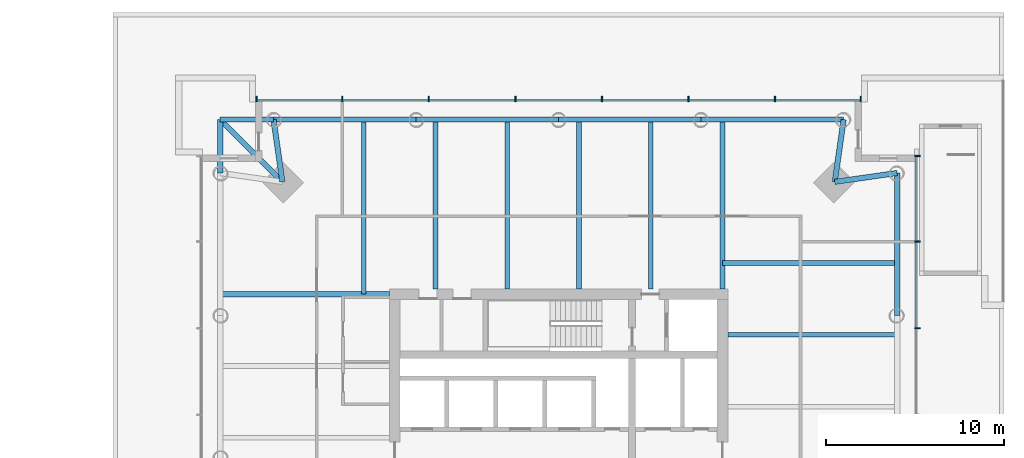
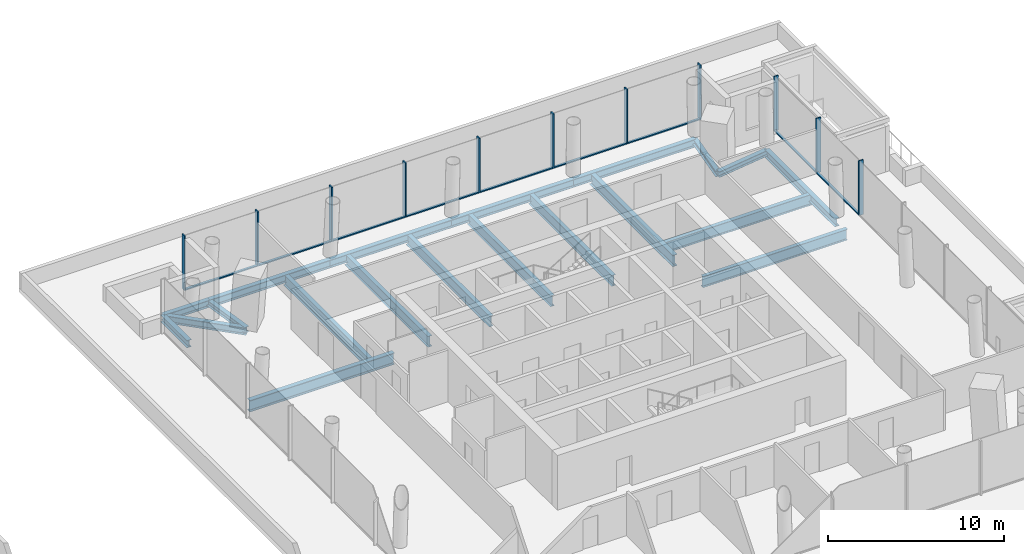
# One storey, part 6 of 19: 20 beams, 20 members, 2 elements without a shape of their own.
"""IFC4 building model written with IfcOpenShell, lengths in metres."""

from ifc_helpers import new_model, si_unit, direction, frame, origin, origin_2d, place, context, subcontext, project, spatial, rectangle, i_section, extrude, material, material_profile, profile_set, type_object, element, aggregate, save


model = new_model("IFC4")

# Units and contexts
model_context = context("Model", 3, precision=1e-05, world=origin(), true_north=direction((0.0, 1.0)))
body_context = subcontext(model_context, "Body", "Model", "MODEL_VIEW")
ifc_project = project(units=[si_unit("LENGTHUNIT", "METRE"), si_unit("AREAUNIT", "SQUARE_METRE"), si_unit("VOLUMEUNIT", "CUBIC_METRE"), si_unit("PLANEANGLEUNIT", "RADIAN"), si_unit("MASSUNIT", "GRAM", prefix="KILO")], contexts=[model_context])

# Site, building, storey
site_placement = place(None, origin())
site = spatial("IfcSite", under=ifc_project, at=site_placement, CompositionType="ELEMENT")
building_placement = place(site_placement, origin())
building = spatial("IfcBuilding", under=site, at=building_placement, Name="Ostroluk Exchange", CompositionType="ELEMENT")
storey_placement = place(building_placement, frame((0.0, 0.0, 21.0)))
storey = spatial("IfcBuildingStorey", under=building, at=storey_placement, Name="L04", CompositionType="ELEMENT", Elevation=21.0)

# Beams
ifc_material_1 = material(Name="Steel S355", Category="steel")
ifc_material_profile_1 = material_profile(ifc_material_1, i_section(OverallWidth=0.300048828125, OverallDepth=0.5, WebThickness=0.014404296875, FlangeThickness=0.028076171875, FilletRadius=0.027099609375, at=origin_2d()), Name="HEB 500")
ifc_profile_set_1 = profile_set([ifc_material_profile_1], Name="Steel S355")
beam_type_1 = type_object("IfcBeamType", Name="Balcony beam HEB 500", PredefinedType="BEAM", material=ifc_profile_set_1)
for number, where, z_axis, x_axis, name in (
    (1, (101.0, 65.0, -0.550048828125), (-1.0, 0.0, 0.0), (0.0, -1.0, 0.0), "T2 north balcony beam a"),
    (2, (98.0, 62.0, -0.550048828125), (0.0, 1.0, 0.0), (-1.0, 0.0, 0.0), "T2 north balcony beam b"),
):
    element("IfcBeam", number, at=place(storey_placement, frame(where, z_axis=z_axis, x_axis=x_axis)), inside=storey, type_object=beam_type_1, Name=name, PredefinedType="BEAM", context=body_context, shape_type="SweptSolid", body=[
        extrude(i_section(OverallWidth=0.300048828125, OverallDepth=0.5, WebThickness=0.014404296875, FlangeThickness=0.028076171875, FilletRadius=0.027099609375, at=origin_2d()), origin(), (0.0, 0.0, 1.0), 3.0),
    ])
beam_1_placement = place(storey_placement, frame((101.5, 61.5, -0.550048828125), z_axis=(-0.707106781187, 0.707106781187, 0.0), x_axis=(-0.707106781187, -0.707106781187, 0.0)))
element("IfcBeam", 3, at=beam_1_placement, inside=storey, type_object=beam_type_1, Name="T2 north balcony beam c", PredefinedType="BEAM", context=body_context, shape_type="SweptSolid", body=[
    extrude(i_section(OverallWidth=0.300048828125, OverallDepth=0.5, WebThickness=0.014404296875, FlangeThickness=0.028076171875, FilletRadius=0.027099609375, at=origin_2d()), origin(), (0.0, 0.0, 1.0), 4.94970703125),
])
ifc_material_2 = material(Name="Steel S355", Category="steel")
ifc_material_profile_2 = material_profile(ifc_material_2, i_section(OverallWidth=0.300048828125, OverallDepth=0.39990234375, WebThickness=0.013427734375, FlangeThickness=0.02392578125, FilletRadius=0.027099609375, at=origin_2d()), Name="HEB 400")
ifc_profile_set_2 = profile_set([ifc_material_profile_2], Name="Steel S355")
beam_type_2 = type_object("IfcBeamType", Name="Corner edge beam HEB 400", PredefinedType="SPANDREL", material=ifc_profile_set_2)
for number, where, z_axis, x_axis, name in (
    (4, (132.5, 61.5, -0.5), (0.989949493661, 0.141421356237, 0.0), (-0.141421356237, 0.989949493661, 0.0), "T2 east corner edge beam a"),
    (5, (132.5, 61.5, -0.5), (0.141421356237, 0.989949493661, 0.0), (-0.989949493661, 0.141421356237, 0.0), "T2 east corner edge beam b"),
    (6, (101.5, 61.5, -0.5), (-0.141421356237, 0.989949493661, 0.0), (-0.989949493661, -0.141421356237, 0.0), "T2 north corner edge beam a"),
):
    element("IfcBeam", number, at=place(storey_placement, frame(where, z_axis=z_axis, x_axis=x_axis)), inside=storey, type_object=beam_type_2, Name=name, PredefinedType="SPANDREL", context=body_context, shape_type="SweptSolid", body=[
        extrude(i_section(OverallWidth=0.300048828125, OverallDepth=0.39990234375, WebThickness=0.013427734375, FlangeThickness=0.02392578125, FilletRadius=0.027099609375, at=origin_2d()), origin(), (0.0, 0.0, 1.0), 3.53564453125),
    ])
ifc_material_3 = material(Name="Steel S355", Category="steel")
ifc_material_profile_3 = material_profile(ifc_material_3, i_section(OverallWidth=0.264892578125, OverallDepth=0.7529296875, WebThickness=0.01318359375, FlangeThickness=0.01708984375, FilletRadius=0.01708984375, at=origin_2d()), Name="IPE 750x147")
ifc_profile_set_3 = profile_set([ifc_material_profile_3], Name="Steel S355")
beam_type_3 = type_object("IfcBeamType", Name="Floor beam IPE 750x147", PredefinedType="BEAM", material=ifc_profile_set_3)
beam_2_placement = place(storey_placement, frame((126.5, 52.914306640625, -0.676513671875), z_axis=(1.0, 0.0, 0.0), x_axis=(0.0, 1.0, 0.0)))
element("IfcBeam", 7, at=beam_2_placement, inside=storey, type_object=beam_type_3, Name="T2 east floor beam 4", PredefinedType="BEAM", context=body_context, shape_type="SweptSolid", body=[
    extrude(i_section(OverallWidth=0.264892578125, OverallDepth=0.7529296875, WebThickness=0.01318359375, FlangeThickness=0.01708984375, FilletRadius=0.01708984375, at=origin_2d()), origin(), (0.0, 0.0, 1.0), 9.5),
])
beam_3_placement = place(storey_placement, frame((126.199951171875, 56.94287109375, -0.676513671875), z_axis=(1.0, 0.0, 0.0), x_axis=(0.0, 1.0, 0.0)))
element("IfcBeam", 8, at=beam_3_placement, inside=storey, type_object=beam_type_3, Name="T2 east floor beam 5", PredefinedType="BEAM", context=body_context, shape_type="SweptSolid", body=[
    extrude(i_section(OverallWidth=0.264892578125, OverallDepth=0.7529296875, WebThickness=0.01318359375, FlangeThickness=0.01708984375, FilletRadius=0.01708984375, at=origin_2d()), origin(), (0.0, 0.0, 1.0), 9.800048828125),
])
for number, where, z_axis, x_axis, name in (
    (9, (122.17138671875, 55.5, -0.676513671875), (0.0, 1.0, 0.0), (-1.0, 0.0, 0.0), "T2 north floor beam 1"),
    (10, (118.142822265625, 55.5, -0.676513671875), (0.0, 1.0, 0.0), (-1.0, 0.0, 0.0), "T2 north floor beam 2"),
    (11, (114.1142578125, 55.5, -0.676513671875), (0.0, 1.0, 0.0), (-1.0, 0.0, 0.0), "T2 north floor beam 3"),
    (12, (110.085693359375, 55.5, -0.676513671875), (0.0, 1.0, 0.0), (-1.0, 0.0, 0.0), "T2 north floor beam 4"),
):
    element("IfcBeam", number, at=place(storey_placement, frame(where, z_axis=z_axis, x_axis=x_axis)), inside=storey, type_object=beam_type_3, Name=name, PredefinedType="BEAM", context=body_context, shape_type="SweptSolid", body=[
        extrude(i_section(OverallWidth=0.264892578125, OverallDepth=0.7529296875, WebThickness=0.01318359375, FlangeThickness=0.01708984375, FilletRadius=0.01708984375, at=origin_2d()), origin(), (0.0, 0.0, 1.0), 9.5),
    ])
beam_4_placement = place(storey_placement, frame((106.05712890625, 55.199951171875, -0.676513671875), z_axis=(0.0, 1.0, 0.0), x_axis=(-1.0, 0.0, 0.0)))
element("IfcBeam", 13, at=beam_4_placement, inside=storey, type_object=beam_type_3, Name="T2 north floor beam 5", PredefinedType="BEAM", context=body_context, shape_type="SweptSolid", body=[
    extrude(i_section(OverallWidth=0.264892578125, OverallDepth=0.7529296875, WebThickness=0.01318359375, FlangeThickness=0.01708984375, FilletRadius=0.01708984375, at=origin_2d()), origin(), (0.0, 0.0, 1.0), 9.800048828125),
])
ifc_material_4 = material(Name="Steel S355", Category="steel")
ifc_material_profile_4 = material_profile(ifc_material_4, i_section(OverallWidth=0.300048828125, OverallDepth=0.800048828125, WebThickness=0.017578125, FlangeThickness=0.032958984375, FilletRadius=0.030029296875, at=origin_2d()), Name="HEB 800")
ifc_profile_set_4 = profile_set([ifc_material_profile_4], Name="Steel S355")
beam_type_4 = type_object("IfcBeamType", Name="Girder HEB 800", PredefinedType="BEAM", material=ifc_profile_set_4)
for number, where, z_axis, x_axis, name in (
    (14, (126.199951171875, 55.5, -0.699951171875), (0.0, 1.0, 0.0), (-1.0, 0.0, 0.0), "T2 east girder"),
    (15, (107.5, 55.199951171875, -0.699951171875), (-1.0, 0.0, 0.0), (0.0, -1.0, 0.0), "T2 north girder"),
):
    element("IfcBeam", number, at=place(storey_placement, frame(where, z_axis=z_axis, x_axis=x_axis)), inside=storey, type_object=beam_type_4, Name=name, PredefinedType="BEAM", context=body_context, shape_type="SweptSolid", body=[
        extrude(i_section(OverallWidth=0.300048828125, OverallDepth=0.800048828125, WebThickness=0.017578125, FlangeThickness=0.032958984375, FilletRadius=0.030029296875, at=origin_2d()), origin(), (0.0, 0.0, 1.0), 9.5),
    ])
ifc_material_5 = material(Name="Steel S355", Category="steel")
ifc_material_profile_5 = material_profile(ifc_material_5, i_section(OverallWidth=0.300048828125, OverallDepth=0.550048828125, WebThickness=0.014892578125, FlangeThickness=0.029052734375, FilletRadius=0.027099609375, at=origin_2d()), Name="HEB 550")
ifc_profile_set_5 = profile_set([ifc_material_profile_5], Name="Steel S355")
beam_type_5 = type_object("IfcBeamType", Name="Moment-connected edge beam HEB 550", PredefinedType="SPANDREL", material=ifc_profile_set_5)
for number, where, z_axis, x_axis, name in (
    (16, (136.0, 54.0, -0.574951171875), (0.0, 1.0, 0.0), (-1.0, 0.0, 0.0), "T2 east edge beam 4"),
    (17, (133.0, 65.0, -0.574951171875), (-1.0, 0.0, 0.0), (0.0, -1.0, 0.0), "T2 north edge beam 1"),
    (18, (125.0, 65.0, -0.574951171875), (-1.0, 0.0, 0.0), (0.0, -1.0, 0.0), "T2 north edge beam 2"),
    (19, (117.0, 65.0, -0.574951171875), (-1.0, 0.0, 0.0), (0.0, -1.0, 0.0), "T2 north edge beam 3"),
    (20, (109.0, 65.0, -0.574951171875), (-1.0, 0.0, 0.0), (0.0, -1.0, 0.0), "T2 north edge beam 4"),
):
    element("IfcBeam", number, at=place(storey_placement, frame(where, z_axis=z_axis, x_axis=x_axis)), inside=storey, type_object=beam_type_5, Name=name, PredefinedType="SPANDREL", context=body_context, shape_type="SweptSolid", body=[
        extrude(i_section(OverallWidth=0.300048828125, OverallDepth=0.550048828125, WebThickness=0.014892578125, FlangeThickness=0.029052734375, FilletRadius=0.027099609375, at=origin_2d()), origin(), (0.0, 0.0, 1.0), 8.0),
    ])

# Curtain wall, members
ifc_material_6 = material(Name="Laminated clear glass", Category="glass")
curtain_wall_type = type_object("IfcCurtainWallType", Name="Hotel amenity and plant facade", PredefinedType="USERDEFINED", material=ifc_material_6)
curtain_wall_1_placement = place(storey_placement, origin())
curtain_wall_1 = element("IfcCurtainWall", 21, at=curtain_wall_1_placement, inside=storey, type_object=curtain_wall_type, Name="Hotel tower east facade L04", ObjectType="LOUVRED CURTAIN WALL", PredefinedType="USERDEFINED")
ifc_material_7 = material(Name="Aluminium mullion", Category="aluminium")
ifc_material_profile_6 = material_profile(ifc_material_7, rectangle(XDim=0.14990234375, YDim=0.080078125, at=origin_2d()), Name="Sill transom 80 x 150")
ifc_profile_set_6 = profile_set([ifc_material_profile_6], Name="Aluminium mullion")
member_type_1 = type_object("IfcMemberType", Name="Sill transom 80 x 150", PredefinedType="USERDEFINED", material=ifc_profile_set_6)
member_1_placement = place(storey_placement, frame((137.074951171875, 53.32568359375, 0.0400390625), z_axis=(0.0, 1.0, 0.0), x_axis=(-1.0, 0.0, 0.0)))
member_1 = element("IfcMember", 22, at=member_1_placement, type_object=member_type_1, Name="CW-H2 transom 6.1", ObjectType="TRANSOM", PredefinedType="USERDEFINED", context=body_context, shape_type="SweptSolid", body=[
    extrude(rectangle(XDim=0.14990234375, YDim=0.080078125, at=origin_2d()), origin(), (0.0, 0.0, 1.0), 4.777099609375),
])
member_2_placement = place(storey_placement, frame((137.074951171875, 58.182861328125, 0.0400390625), z_axis=(0.0, 1.0, 0.0), x_axis=(-1.0, 0.0, 0.0)))
member_2 = element("IfcMember", 23, at=member_2_placement, type_object=member_type_1, Name="CW-H2 transom 7.1", ObjectType="TRANSOM", PredefinedType="USERDEFINED", context=body_context, shape_type="SweptSolid", body=[
    extrude(rectangle(XDim=0.14990234375, YDim=0.080078125, at=origin_2d()), origin(), (0.0, 0.0, 1.0), 4.737060546875),
])

curtain_wall_2_placement = place(storey_placement, origin())
curtain_wall_2 = element("IfcCurtainWall", 24, at=curtain_wall_2_placement, inside=storey, type_object=curtain_wall_type, Name="Hotel tower north facade L04", ObjectType="LOUVRED CURTAIN WALL", PredefinedType="USERDEFINED")
member_3_placement = place(storey_placement, frame((133.919921875, 66.074951171875, 0.0400390625), z_axis=(-1.0, 0.0, 0.0), x_axis=(0.0, -1.0, 0.0)))
member_3 = element("IfcMember", 25, at=member_3_placement, type_object=member_type_1, Name="CW-H2 transom 1.1", ObjectType="TRANSOM", PredefinedType="USERDEFINED", context=body_context, shape_type="SweptSolid", body=[
    extrude(rectangle(XDim=0.14990234375, YDim=0.080078125, at=origin_2d()), origin(), (0.0, 0.0, 1.0), 4.737060546875),
])
member_4_placement = place(storey_placement, frame((129.102783203125, 66.074951171875, 0.0400390625), z_axis=(-1.0, 0.0, 0.0), x_axis=(0.0, -1.0, 0.0)))
member_4 = element("IfcMember", 26, at=member_4_placement, type_object=member_type_1, Name="CW-H2 transom 2.1", ObjectType="TRANSOM", PredefinedType="USERDEFINED", context=body_context, shape_type="SweptSolid", body=[
    extrude(rectangle(XDim=0.14990234375, YDim=0.080078125, at=origin_2d()), origin(), (0.0, 0.0, 1.0), 4.777099609375),
])
member_5_placement = place(storey_placement, frame((124.24560546875, 66.074951171875, 0.0400390625), z_axis=(-1.0, 0.0, 0.0), x_axis=(0.0, -1.0, 0.0)))
member_5 = element("IfcMember", 27, at=member_5_placement, type_object=member_type_1, Name="CW-H2 transom 3.1", ObjectType="TRANSOM", PredefinedType="USERDEFINED", context=body_context, shape_type="SweptSolid", body=[
    extrude(rectangle(XDim=0.14990234375, YDim=0.080078125, at=origin_2d()), origin(), (0.0, 0.0, 1.0), 4.777099609375),
])
member_6_placement = place(storey_placement, frame((119.388671875, 66.074951171875, 0.0400390625), z_axis=(-1.0, 0.0, 0.0), x_axis=(0.0, -1.0, 0.0)))
member_6 = element("IfcMember", 28, at=member_6_placement, type_object=member_type_1, Name="CW-H2 transom 4.1", ObjectType="TRANSOM", PredefinedType="USERDEFINED", context=body_context, shape_type="SweptSolid", body=[
    extrude(rectangle(XDim=0.14990234375, YDim=0.080078125, at=origin_2d()), origin(), (0.0, 0.0, 1.0), 4.77734375),
])
member_7_placement = place(storey_placement, frame((114.531494140625, 66.074951171875, 0.0400390625), z_axis=(-1.0, 0.0, 0.0), x_axis=(0.0, -1.0, 0.0)))
member_7 = element("IfcMember", 29, at=member_7_placement, type_object=member_type_1, Name="CW-H2 transom 5.1", ObjectType="TRANSOM", PredefinedType="USERDEFINED", context=body_context, shape_type="SweptSolid", body=[
    extrude(rectangle(XDim=0.14990234375, YDim=0.080078125, at=origin_2d()), origin(), (0.0, 0.0, 1.0), 4.777099609375),
])
member_8_placement = place(storey_placement, frame((109.67431640625, 66.074951171875, 0.0400390625), z_axis=(-1.0, 0.0, 0.0), x_axis=(0.0, -1.0, 0.0)))
member_8 = element("IfcMember", 30, at=member_8_placement, type_object=member_type_1, Name="CW-H2 transom 6.1", ObjectType="TRANSOM", PredefinedType="USERDEFINED", context=body_context, shape_type="SweptSolid", body=[
    extrude(rectangle(XDim=0.14990234375, YDim=0.080078125, at=origin_2d()), origin(), (0.0, 0.0, 1.0), 4.777099609375),
])
member_9_placement = place(storey_placement, frame((104.817138671875, 66.074951171875, 0.0400390625), z_axis=(-1.0, 0.0, 0.0), x_axis=(0.0, -1.0, 0.0)))
member_9 = element("IfcMember", 31, at=member_9_placement, type_object=member_type_1, Name="CW-H2 transom 7.1", ObjectType="TRANSOM", PredefinedType="USERDEFINED", context=body_context, shape_type="SweptSolid", body=[
    extrude(rectangle(XDim=0.14990234375, YDim=0.080078125, at=origin_2d()), origin(), (0.0, 0.0, 1.0), 4.737060546875),
])

# Member
ifc_material_8 = material(Name="Aluminium mullion with limestone facing", Category="masonry")
ifc_material_profile_7 = material_profile(ifc_material_8, rectangle(XDim=0.300048828125, YDim=0.080078125, at=origin_2d()), Name="Tracery mullion 80 x 300")
ifc_profile_set_7 = profile_set([ifc_material_profile_7], Name="Aluminium mullion with limestone facing")
member_type_2 = type_object("IfcMemberType", Name="Tracery mullion 80 x 300", PredefinedType="MULLION", material=ifc_profile_set_7)
member_10_placement = place(storey_placement, frame((137.14990234375, 53.28564453125, 0.0), z_axis=(0.0, 0.0, 1.0), x_axis=(-1.0, 0.0, 0.0)))
member_10 = element("IfcMember", 32, at=member_10_placement, type_object=member_type_2, Name="CW-H2 mullion 6", PredefinedType="MULLION", context=body_context, shape_type="SweptSolid", body=[
    extrude(rectangle(XDim=0.300048828125, YDim=0.080078125, at=origin_2d()), origin(), (0.0, 0.0, 1.0), 3.800048828125),
])

member_11_placement = place(storey_placement, frame((137.14990234375, 58.142822265625, 0.0), z_axis=(0.0, 0.0, 1.0), x_axis=(-1.0, 0.0, 0.0)))
member_11 = element("IfcMember", 33, at=member_11_placement, type_object=member_type_2, Name="CW-H2 mullion 7", PredefinedType="MULLION", context=body_context, shape_type="SweptSolid", body=[
    extrude(rectangle(XDim=0.300048828125, YDim=0.080078125, at=origin_2d()), origin(), (0.0, 0.0, 1.0), 3.800048828125),
])

member_12_placement = place(storey_placement, frame((137.14990234375, 62.9599609375, 0.0), z_axis=(0.0, 0.0, 1.0), x_axis=(-1.0, 0.0, 0.0)))
member_12 = element("IfcMember", 34, at=member_12_placement, type_object=member_type_2, Name="CW-H2 mullion 8", PredefinedType="MULLION", context=body_context, shape_type="SweptSolid", body=[
    extrude(rectangle(XDim=0.300048828125, YDim=0.080078125, at=origin_2d()), origin(), (0.0, 0.0, 1.0), 3.800048828125),
])

aggregate(curtain_wall_1, [member_10, member_11, member_12, member_1, member_2])

member_13_placement = place(storey_placement, frame((133.9599609375, 66.14990234375, 0.0), z_axis=(0.0, 0.0, 1.0), x_axis=(0.0, -1.0, 0.0)))
member_13 = element("IfcMember", 35, at=member_13_placement, type_object=member_type_2, Name="CW-H2 mullion 1", PredefinedType="MULLION", context=body_context, shape_type="SweptSolid", body=[
    extrude(rectangle(XDim=0.300048828125, YDim=0.080078125, at=origin_2d()), origin(), (0.0, 0.0, 1.0), 3.800048828125),
])

member_14_placement = place(storey_placement, frame((129.142822265625, 66.14990234375, 0.0), z_axis=(0.0, 0.0, 1.0), x_axis=(0.0, -1.0, 0.0)))
member_14 = element("IfcMember", 36, at=member_14_placement, type_object=member_type_2, Name="CW-H2 mullion 2", PredefinedType="MULLION", context=body_context, shape_type="SweptSolid", body=[
    extrude(rectangle(XDim=0.300048828125, YDim=0.080078125, at=origin_2d()), origin(), (0.0, 0.0, 1.0), 3.800048828125),
])

member_15_placement = place(storey_placement, frame((124.28564453125, 66.14990234375, 0.0), z_axis=(0.0, 0.0, 1.0), x_axis=(0.0, -1.0, 0.0)))
member_15 = element("IfcMember", 37, at=member_15_placement, type_object=member_type_2, Name="CW-H2 mullion 3", PredefinedType="MULLION", context=body_context, shape_type="SweptSolid", body=[
    extrude(rectangle(XDim=0.300048828125, YDim=0.080078125, at=origin_2d()), origin(), (0.0, 0.0, 1.0), 3.800048828125),
])

member_16_placement = place(storey_placement, frame((119.428466796875, 66.14990234375, 0.0), z_axis=(0.0, 0.0, 1.0), x_axis=(0.0, -1.0, 0.0)))
member_16 = element("IfcMember", 38, at=member_16_placement, type_object=member_type_2, Name="CW-H2 mullion 4", PredefinedType="MULLION", context=body_context, shape_type="SweptSolid", body=[
    extrude(rectangle(XDim=0.300048828125, YDim=0.080078125, at=origin_2d()), origin(), (0.0, 0.0, 1.0), 3.800048828125),
])

member_17_placement = place(storey_placement, frame((114.571533203125, 66.14990234375, 0.0), z_axis=(0.0, 0.0, 1.0), x_axis=(0.0, -1.0, 0.0)))
member_17 = element("IfcMember", 39, at=member_17_placement, type_object=member_type_2, Name="CW-H2 mullion 5", PredefinedType="MULLION", context=body_context, shape_type="SweptSolid", body=[
    extrude(rectangle(XDim=0.300048828125, YDim=0.080078125, at=origin_2d()), origin(), (0.0, 0.0, 1.0), 3.800048828125),
])

member_18_placement = place(storey_placement, frame((109.71435546875, 66.14990234375, 0.0), z_axis=(0.0, 0.0, 1.0), x_axis=(0.0, -1.0, 0.0)))
member_18 = element("IfcMember", 40, at=member_18_placement, type_object=member_type_2, Name="CW-H2 mullion 6", PredefinedType="MULLION", context=body_context, shape_type="SweptSolid", body=[
    extrude(rectangle(XDim=0.300048828125, YDim=0.080078125, at=origin_2d()), origin(), (0.0, 0.0, 1.0), 3.800048828125),
])

member_19_placement = place(storey_placement, frame((104.857177734375, 66.14990234375, 0.0), z_axis=(0.0, 0.0, 1.0), x_axis=(0.0, -1.0, 0.0)))
member_19 = element("IfcMember", 41, at=member_19_placement, type_object=member_type_2, Name="CW-H2 mullion 7", PredefinedType="MULLION", context=body_context, shape_type="SweptSolid", body=[
    extrude(rectangle(XDim=0.300048828125, YDim=0.080078125, at=origin_2d()), origin(), (0.0, 0.0, 1.0), 3.800048828125),
])

member_20_placement = place(storey_placement, frame((100.0400390625, 66.14990234375, 0.0), z_axis=(0.0, 0.0, 1.0), x_axis=(0.0, -1.0, 0.0)))
member_20 = element("IfcMember", 42, at=member_20_placement, type_object=member_type_2, Name="CW-H2 mullion 8", PredefinedType="MULLION", context=body_context, shape_type="SweptSolid", body=[
    extrude(rectangle(XDim=0.300048828125, YDim=0.080078125, at=origin_2d()), origin(), (0.0, 0.0, 1.0), 3.800048828125),
])

aggregate(curtain_wall_2, [member_13, member_14, member_15, member_16, member_17, member_18, member_19, member_20, member_3, member_4, member_5, member_6, member_7, member_8, member_9])

save(model, "model.ifc")
